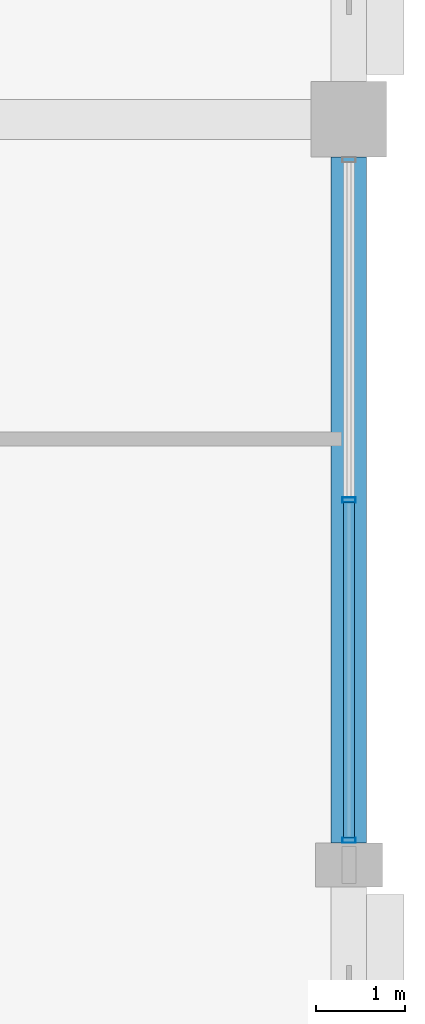
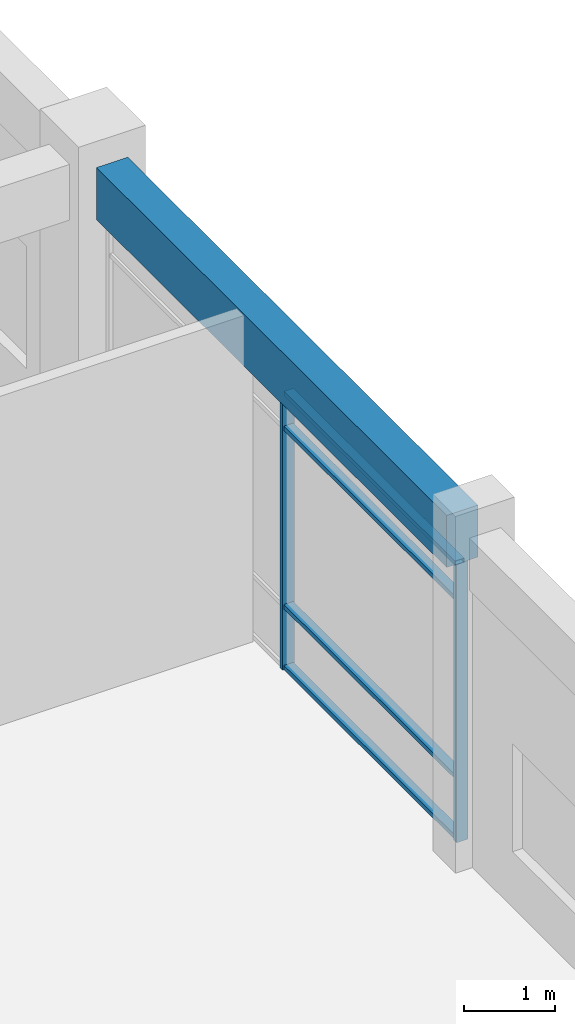
# One storey, part 42 of 79: 6 members, 1 beam, 1 element without a shape of its own.
"""IFC4 building model written with IfcOpenShell, lengths in metres."""

from ifc_helpers import new_model, si_unit, direction, frame, origin, origin_2d, place, context, subcontext, project, spatial, rectangle, hollow_rectangle, extrude, material, material_profile, profile_set, type_object, element, aggregate, save


model = new_model("IFC4")

# Units and contexts
model_context = context("Model", 3, precision=1e-05, world=origin(), true_north=direction((0.0, 1.0)))
body_context = subcontext(model_context, "Body", "Model", "MODEL_VIEW")
ifc_project = project(units=[si_unit("LENGTHUNIT", "METRE"), si_unit("AREAUNIT", "SQUARE_METRE"), si_unit("VOLUMEUNIT", "CUBIC_METRE"), si_unit("PLANEANGLEUNIT", "RADIAN"), si_unit("MASSUNIT", "GRAM", prefix="KILO"), si_unit("THERMODYNAMICTEMPERATUREUNIT", "KELVIN"), si_unit("POWERUNIT", "WATT")], contexts=[model_context])

# Site, building, storey
site_placement = place(None, origin())
site = spatial("IfcSite", under=ifc_project, at=site_placement, CompositionType="ELEMENT")
building_placement = place(site_placement, origin())
building = spatial("IfcBuilding", under=site, at=building_placement, Name="Srebrne Nadtorze General Hospital", CompositionType="ELEMENT")
storey_placement = place(building_placement, frame((0.0, 0.0, 4.800048828125)))
storey = spatial("IfcBuildingStorey", under=building, at=storey_placement, Name="L01", CompositionType="ELEMENT", Elevation=4.800048828125)

# Curtain wall, members
ifc_material_1 = material(Name="Anodised Aluminium", Category="aluminium")
curtain_wall_type = type_object("IfcCurtainWallType", Name="Unitised curtain wall 7725x3750", PredefinedType="NOTDEFINED", material=ifc_material_1)
curtain_wall_placement = place(storey_placement, origin())
curtain_wall = element("IfcCurtainWall", 1, at=curtain_wall_placement, inside=storey, type_object=curtain_wall_type, Name="Curtain wall CW-066", PredefinedType="NOTDEFINED")
ifc_material_2 = material(Name="Anodised Aluminium", Category="aluminium")
ifc_material_profile_1 = material_profile(ifc_material_2, hollow_rectangle(XDim=0.06005859375, YDim=0.14990234375, WallThickness=0.00390625, at=origin_2d()), Name="AL-MUL-60x150")
ifc_profile_set_1 = profile_set([ifc_material_profile_1], Name="Anodised Aluminium")
member_type_1 = type_object("IfcMemberType", Name="Curtain mullion 60x150", PredefinedType="MULLION", material=ifc_profile_set_1)
member_1_placement = place(storey_placement, frame((171.60009765625, 42.280029296875, 0.0), z_axis=(0.0, 0.0, 1.0), x_axis=(0.0, 1.0, 0.0)))
member_1 = element("IfcMember", 2, at=member_1_placement, type_object=member_type_1, Name="CW-066 mullion 1", PredefinedType="MULLION", context=body_context, shape_type="SweptSolid", body=[
    extrude(hollow_rectangle(XDim=0.06005859375, YDim=0.14990234375, WallThickness=0.00390625, at=origin_2d()), origin(), (0.0, 0.0, 1.0), 3.75),
])
member_2_placement = place(storey_placement, frame((171.60009765625, 46.112548828125, 0.0), z_axis=(0.0, 0.0, 1.0), x_axis=(0.0, 1.0, 0.0)))
member_2 = element("IfcMember", 3, at=member_2_placement, type_object=member_type_1, Name="CW-066 mullion 2", PredefinedType="MULLION", context=body_context, shape_type="SweptSolid", body=[
    extrude(hollow_rectangle(XDim=0.06005859375, YDim=0.14990234375, WallThickness=0.00390625, at=origin_2d()), origin(), (0.0, 0.0, 1.0), 3.75),
])
ifc_material_3 = material(Name="Anodised Aluminium", Category="aluminium")
ifc_material_profile_2 = material_profile(ifc_material_3, hollow_rectangle(XDim=0.06005859375, YDim=0.1201171875, WallThickness=0.00390625, at=origin_2d()), Name="AL-TRN-60x120")
ifc_profile_set_2 = profile_set([ifc_material_profile_2], Name="Anodised Aluminium")
member_type_2 = type_object("IfcMemberType", Name="Curtain transom 60x120", PredefinedType="USERDEFINED", material=ifc_profile_set_2)
member_3_placement = place(storey_placement, frame((171.60009765625, 42.31005859375, 0.030029296875), z_axis=(0.0, 1.0, 0.0), x_axis=(0.0, 0.0, 1.0)))
member_3 = element("IfcMember", 4, at=member_3_placement, type_object=member_type_2, Name="CW-066 transom 1.1", ObjectType="TRANSOM", PredefinedType="USERDEFINED", context=body_context, shape_type="SweptSolid", body=[
    extrude(hollow_rectangle(XDim=0.06005859375, YDim=0.1201171875, WallThickness=0.00390625, at=origin_2d()), origin(), (0.0, 0.0, 1.0), 3.7724609375),
])
member_4_placement = place(storey_placement, frame((171.60009765625, 42.31005859375, 0.849853515625), z_axis=(0.0, 1.0, 0.0), x_axis=(0.0, 0.0, 1.0)))
member_4 = element("IfcMember", 5, at=member_4_placement, type_object=member_type_2, Name="CW-066 transom 1.2", ObjectType="TRANSOM", PredefinedType="USERDEFINED", context=body_context, shape_type="SweptSolid", body=[
    extrude(hollow_rectangle(XDim=0.06005859375, YDim=0.1201171875, WallThickness=0.00390625, at=origin_2d()), origin(), (0.0, 0.0, 1.0), 3.7724609375),
])
member_5_placement = place(storey_placement, frame((171.60009765625, 42.31005859375, 3.25), z_axis=(0.0, 1.0, 0.0), x_axis=(0.0, 0.0, 1.0)))
member_5 = element("IfcMember", 6, at=member_5_placement, type_object=member_type_2, Name="CW-066 transom 1.3", ObjectType="TRANSOM", PredefinedType="USERDEFINED", context=body_context, shape_type="SweptSolid", body=[
    extrude(hollow_rectangle(XDim=0.06005859375, YDim=0.1201171875, WallThickness=0.00390625, at=origin_2d()), origin(), (0.0, 0.0, 1.0), 3.7724609375),
])
member_6_placement = place(storey_placement, frame((171.60009765625, 42.31005859375, 3.719970703125), z_axis=(0.0, 1.0, 0.0), x_axis=(0.0, 0.0, 1.0)))
member_6 = element("IfcMember", 7, at=member_6_placement, type_object=member_type_2, Name="CW-066 transom 1.4", ObjectType="TRANSOM", PredefinedType="USERDEFINED", context=body_context, shape_type="SweptSolid", body=[
    extrude(hollow_rectangle(XDim=0.06005859375, YDim=0.1201171875, WallThickness=0.00390625, at=origin_2d()), origin(), (0.0, 0.0, 1.0), 3.7724609375),
])
aggregate(curtain_wall, [member_1, member_2, member_3, member_4, member_5, member_6])

# Beam
ifc_material_4 = material(Name="Concrete C40/50", Category="concrete")
ifc_material_profile_3 = material_profile(ifc_material_4, rectangle(XDim=0.39990234375, YDim=0.699951171875, at=origin_2d()), Name="RC-BM-400x700")
ifc_profile_set_3 = profile_set([ifc_material_profile_3], Name="Concrete C40/50")
beam_type = type_object("IfcBeamType", Name="Edge beam RC 400x700", PredefinedType="BEAM", material=ifc_profile_set_3)
beam_placement = place(storey_placement, frame((171.60009765625, 42.25, 4.099853515625), z_axis=(0.0, 1.0, 0.0), x_axis=(-1.0, 0.0, 0.0)))
element("IfcBeam", 8, at=beam_placement, inside=storey, type_object=beam_type, Name="Beam BM-L01-Y-0549", PredefinedType="BEAM", context=body_context, shape_type="SweptSolid", body=[
    extrude(rectangle(XDim=0.39990234375, YDim=0.699951171875, at=origin_2d()), origin(), (0.0, 0.0, 1.0), 7.72509765625),
])

save(model, "model.ifc")
